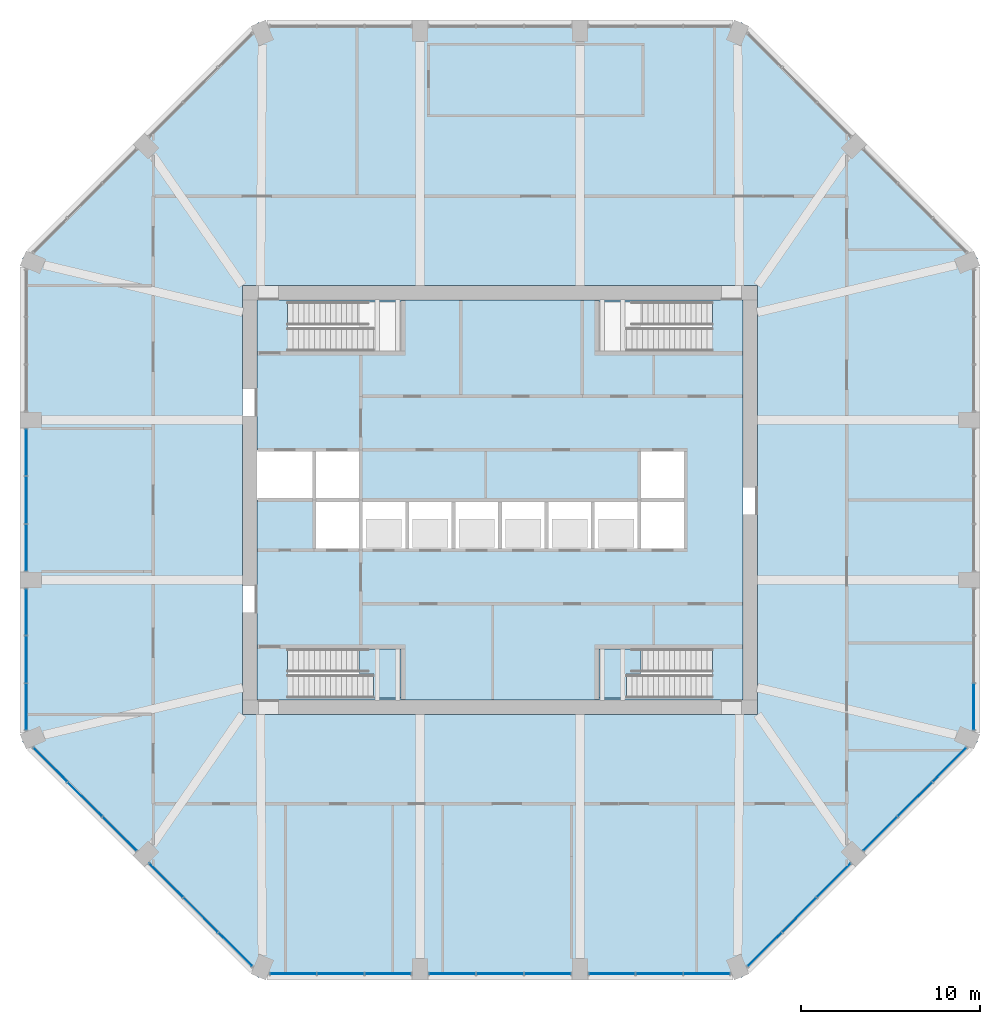
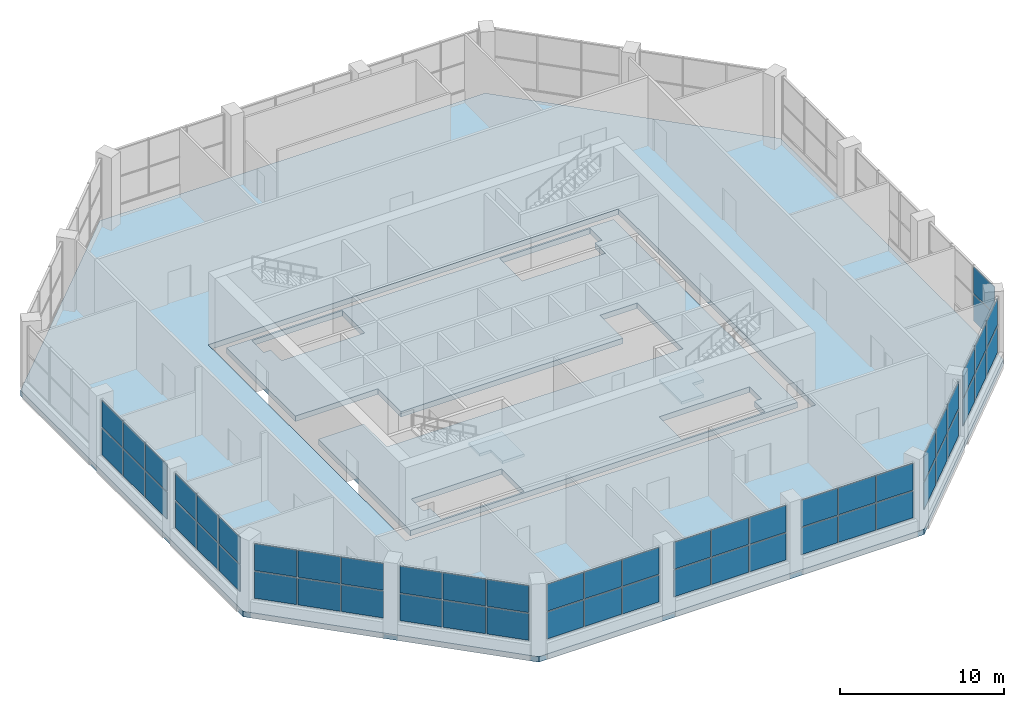
# One storey, part 9 of 16: 56 plates, 4 slabs, 12 elements without a shape of their own.
"""IFC4 building model written with IfcOpenShell, lengths in metres."""

import ifcopenshell
import ifcopenshell.guid

model = None  # the IFC model being written
_history = None  # IfcOwnerHistory: only IFC2X3 demands one
_inside = {}  # id of a spatial element -> (the spatial element, [elements in it])
_under = {}  # id of a project, library or spatial element -> (it, [spatial elements below it])
_declared = {}  # id of a project -> (the project, [libraries it declares])
_typed = {}  # id of a type object -> (the type object, [elements of that type])
_made_of = {}  # id of a material, layer set ... -> (it, [elements and type objects made of it])


def new_model(schema):
    """Start an empty IFC model of exactly this schema.

    Asked for "IFC4X3", IfcOpenShell would pick the latest addendum, in which some entities
    have other attributes; the version numbers below select the first issue.
    IFC2X3 requires an IfcOwnerHistory on every rooted entity: one is made here for all.
    """
    global model, _history
    if schema == "IFC4X3":
        model = ifcopenshell.file(schema_version=(4, 3, 0, 0))
    else:
        model = ifcopenshell.file(schema=schema)
    _inside.clear()
    _under.clear()
    _declared.clear()
    _typed.clear()
    _made_of.clear()
    _history = None
    if model.schema == "IFC2X3":
        org = make("IfcOrganization", Name="unknown")
        user = make(
            "IfcPersonAndOrganization",
            ThePerson=make("IfcPerson", FamilyName="unknown"),
            TheOrganization=org,
        )
        app = make(
            "IfcApplication",
            ApplicationDeveloper=org,
            Version="unknown",
            ApplicationFullName="unknown",
            ApplicationIdentifier="unknown",
        )
        _history = make(
            "IfcOwnerHistory",
            OwningUser=user,
            OwningApplication=app,
            ChangeAction="ADDED",
            CreationDate=0,
        )
    return model


def make(cls, **values):
    """One entity of the class cls with the attributes given. An attribute that is None is left unset."""
    return model.create_entity(
        cls, **{name: value for name, value in values.items() if value is not None}
    )


def rooted(cls, **values):
    """An entity with a GlobalId (a new one), such as an element, a storey or a relation."""
    return make(cls, GlobalId=ifcopenshell.guid.new(), OwnerHistory=_history, **values)


def si_unit(unit_type, name, prefix=None):
    """IfcSIUnit, for example si_unit("LENGTHUNIT", "METRE", prefix="MILLI")."""
    return make("IfcSIUnit", UnitType=unit_type, Prefix=prefix, Name=name)


def assignment(units):
    """IfcUnitAssignment: the units of a project."""
    return None if units is None else make("IfcUnitAssignment", Units=units)


def point(xyz):
    """IfcCartesianPoint."""
    return None if xyz is None else make("IfcCartesianPoint", Coordinates=xyz)


def direction(xyz):
    """IfcDirection."""
    return None if xyz is None else make("IfcDirection", DirectionRatios=xyz)


def frame(location, z_axis=None, x_axis=None):
    """IfcAxis2Placement3D, a coordinate frame: its origin and axes. An axis left out is left unset."""
    return make(
        "IfcAxis2Placement3D",
        Location=point(location),
        Axis=direction(z_axis),
        RefDirection=direction(x_axis),
    )


def frame_2d(location, x_axis=None):
    """IfcAxis2Placement2D, a coordinate frame in the plane: its origin and x axis."""
    return make(
        "IfcAxis2Placement2D", Location=point(location), RefDirection=direction(x_axis)
    )


def origin():
    """The frame at (0, 0, 0) with its axes left unset."""
    return frame((0.0, 0.0, 0.0))


def origin_2d():
    """The frame at (0, 0) in the plane with its x axis left unset."""
    return frame_2d((0.0, 0.0))


def place(relative_to, where):
    """IfcLocalPlacement: puts the frame where relative to a parent placement (None: the world)."""
    return make(
        "IfcLocalPlacement", PlacementRelTo=relative_to, RelativePlacement=where
    )


def context(
    kind, dimensions, precision=None, world=None, true_north=None, identifier=None
):
    """IfcGeometricRepresentationContext, for example the 3D "Model" context."""
    return make(
        "IfcGeometricRepresentationContext",
        ContextIdentifier=identifier,
        ContextType=kind,
        CoordinateSpaceDimension=dimensions,
        Precision=precision,
        WorldCoordinateSystem=world,
        TrueNorth=true_north,
    )


def subcontext(parent, identifier, kind, view, scale=None):
    """IfcGeometricRepresentationSubContext, for example "Body" below "Model"."""
    return make(
        "IfcGeometricRepresentationSubContext",
        ContextIdentifier=identifier,
        ContextType=kind,
        ParentContext=parent,
        TargetScale=scale,
        TargetView=view,
    )


def project(units=None, contexts=None):
    """IfcProject with its units and contexts."""
    return rooted(
        "IfcProject",
        Name="project",
        RepresentationContexts=contexts,
        UnitsInContext=assignment(units),
    )


def spatial(cls, under=None, at=None, **own):
    """A site, building, storey or space (cls), placed at a placement, below another one or the project."""
    s = rooted(cls, ObjectPlacement=at, **own)
    if under is not None:
        _under.setdefault(under.id(), (under, []))[1].append(s)
    return s


def polyline(points):
    """IfcPolyline through the points."""
    return make("IfcPolyline", Points=[point(p) for p in points])


def profile(cls, at=None, kind="AREA", **sizes):
    """A parametric profile (cls). Its sizes go by their IFC names, for example OverallWidth=200.0."""
    return make(cls, ProfileType=kind, Position=at, **sizes)


def rectangle(**sizes):
    """IfcRectangleProfileDef."""
    return profile("IfcRectangleProfileDef", **sizes)


def outline(outer, holes=None, kind="AREA"):
    """IfcArbitraryClosedProfileDef: a profile drawn as a closed curve; with holes, ...WithVoids."""
    if holes is None:
        return make("IfcArbitraryClosedProfileDef", ProfileType=kind, OuterCurve=outer)
    return make(
        "IfcArbitraryProfileDefWithVoids",
        ProfileType=kind,
        OuterCurve=outer,
        InnerCurves=holes,
    )


def extrude(swept, where, along, depth):
    """IfcExtrudedAreaSolid: the profile swept, set in the frame where, extruded along a direction by depth."""
    return make(
        "IfcExtrudedAreaSolid",
        SweptArea=swept,
        Position=where,
        ExtrudedDirection=direction(along),
        Depth=depth,
    )


def shape(context_of_items, identifier, shape_type, items):
    """IfcShapeRepresentation: the items that make up one representation, for example the "Body"."""
    return make(
        "IfcShapeRepresentation",
        ContextOfItems=context_of_items,
        RepresentationIdentifier=identifier,
        RepresentationType=shape_type,
        Items=items,
    )


def material(Name=None, Category=None):
    """IfcMaterial."""
    return make("IfcMaterial", Name=Name, Category=Category)


def layer(
    of_material, thickness, ventilated=None, Name=None, Category=None, Priority=None
):
    """IfcMaterialLayer: one layer of a wall or slab, of a material (None: an air gap)."""
    return make(
        "IfcMaterialLayer",
        Material=of_material,
        LayerThickness=thickness,
        IsVentilated=ventilated,
        Name=Name,
        Category=Category,
        Priority=Priority,
    )


def layer_set(layers, Name=None):
    """IfcMaterialLayerSet."""
    return make("IfcMaterialLayerSet", MaterialLayers=layers, LayerSetName=Name)


def made_of(thing, what):
    """Note that an element or type object is made of a material, layer set ...; save() writes the relation."""
    if what is not None:
        _made_of.setdefault(what.id(), (what, []))[1].append(thing)
    return thing


def type_object(cls, material=None, **own):
    """A type object (cls), such as IfcWallType, which elements share."""
    return made_of(rooted(cls, **own), material)


def element(
    cls,
    number,
    at=None,
    inside=None,
    cuts=None,
    type_object=None,
    material=None,
    context=None,
    identifier="Body",
    shape_type=None,
    held_by="IfcProductDefinitionShape",
    body=None,
    shapes=None,
    **own,
):
    """One element of the class cls, such as IfcWall. Its Tag is "e" and its number.

    at: its placement. inside: the storey or other place that contains it. cuts: it is an
    opening in that element (IfcRelVoidsElement). A single representation is given by context,
    identifier, shape_type and body (its items); several are given by shapes. held_by: the class
    of the entity that holds the representations. save() writes the other relations.
    """
    e = rooted(cls, Tag="e%d" % number, ObjectPlacement=at, **own)
    if body is not None:
        shapes = [shape(context, identifier, shape_type, body)]
    if shapes is not None:
        e.Representation = make(held_by, Representations=shapes)
    if inside is not None:
        _inside.setdefault(inside.id(), (inside, []))[1].append(e)
    if cuts is not None:
        rooted(
            "IfcRelVoidsElement", RelatingBuildingElement=cuts, RelatedOpeningElement=e
        )
    if type_object is not None:
        _typed.setdefault(type_object.id(), (type_object, []))[1].append(e)
    return made_of(e, material)


def aggregate(whole, parts):
    """IfcRelAggregates: a whole, such as a stair, and the parts it consists of."""
    return rooted("IfcRelAggregates", RelatingObject=whole, RelatedObjects=parts)


def save(model, path):
    """Write the relations noted so far, then the file.

    IfcRelAggregates (storeys below a building ...), IfcRelContainedInSpatialStructure (elements
    in a storey), IfcRelDefinesByType, IfcRelAssociatesMaterial and IfcRelDeclares: one each for
    every whole, place, type object, material and project.
    """
    for whole, parts in _under.values():
        aggregate(whole, parts)
    for where, things in _inside.values():
        rooted(
            "IfcRelContainedInSpatialStructure",
            RelatedElements=things,
            RelatingStructure=where,
        )
    for kind, things in _typed.values():
        rooted("IfcRelDefinesByType", RelatedObjects=things, RelatingType=kind)
    for what, things in _made_of.values():
        rooted("IfcRelAssociatesMaterial", RelatedObjects=things, RelatingMaterial=what)
    for by, libraries in _declared.values():
        rooted("IfcRelDeclares", RelatingContext=by, RelatedDefinitions=libraries)
    model.write(path)


model = new_model("IFC4")

# Units and contexts
model_context = context("Model", 3, precision=1e-05, world=origin(), true_north=direction((0.0, 1.0)))
body_context = subcontext(model_context, "Body", "Model", "MODEL_VIEW")
ifc_project = project(units=[si_unit("LENGTHUNIT", "METRE"), si_unit("AREAUNIT", "SQUARE_METRE"), si_unit("VOLUMEUNIT", "CUBIC_METRE"), si_unit("PLANEANGLEUNIT", "RADIAN"), si_unit("MASSUNIT", "GRAM", prefix="KILO")], contexts=[model_context])

# Site, building, storey
site_placement = place(None, origin())
site = spatial("IfcSite", under=ifc_project, at=site_placement, CompositionType="ELEMENT")
building_placement = place(site_placement, origin())
building = spatial("IfcBuilding", under=site, at=building_placement, Name="Msitu Wima Residences", CompositionType="ELEMENT")
storey_placement = place(building_placement, frame((0.0, 0.0, 156.89990234375)))
storey = spatial("IfcBuildingStorey", under=building, at=storey_placement, Name="L36", CompositionType="ELEMENT", Elevation=156.89990234375)

# Slab
ifc_material_1 = material(Name="Concrete C40/50", Category="concrete")
ifc_layer_1 = layer(ifc_material_1, 0.402099609375)
ifc_layer_set_1 = layer_set([ifc_layer_1], Name="Concrete C40/50")
slab_type_1 = type_object("IfcSlabType", Name="Core floor CF402", PredefinedType="FLOOR", material=ifc_layer_set_1)
slab_1_placement = place(storey_placement, frame((0.0, 0.0, -0.40185546875)))
element("IfcSlab", 1, at=slab_1_placement, inside=storey, type_object=slab_type_1, Name="Core floor", PredefinedType="FLOOR", context=body_context, shape_type="SweptSolid", body=[
    extrude(outline(polyline([(-13.60009765625, 11.199951171875), (-13.60009765625, 2.800048828125), (-10.39990234375, 2.800048828125), (-7.800048828125, 2.800048828125), (-7.800048828125, 0.0), (-5.199951171875, 0.0), (-2.60009765625, 0.0), (0.0, 0.0), (2.60009765625, 0.0), (5.199951171875, 0.0), (7.800048828125, 0.0), (7.800048828125, 2.800048828125), (10.39990234375, 2.800048828125), (10.39990234375, 0.0), (10.39990234375, -2.800048828125), (7.800048828125, -2.800048828125), (5.199951171875, -2.800048828125), (2.60009765625, -2.800048828125), (0.0, -2.800048828125), (-2.60009765625, -2.800048828125), (-5.199951171875, -2.800048828125), (-7.800048828125, -2.800048828125), (-10.39990234375, -2.800048828125), (-10.39990234375, 0.0), (-13.60009765625, 0.0), (-13.60009765625, -11.199951171875), (13.60009765625, -11.199951171875), (13.60009765625, 11.199951171875), (-13.60009765625, 11.199951171875)]), holes=[polyline([(-11.375, -11.074951171875), (-11.375, -9.77490234375), (-11.87451171875, -9.77490234375), (-11.87451171875, -8.324951171875), (-5.52490234375, -8.324951171875), (-5.52490234375, -11.074951171875), (-11.375, -11.074951171875)]), polyline([(-11.375, 9.625), (-11.87451171875, 9.625), (-11.87451171875, 11.074951171875), (-5.52490234375, 11.074951171875), (-5.52490234375, 8.324951171875), (-11.375, 8.324951171875), (-11.375, 9.625)]), polyline([(11.375, -9.77490234375), (11.375, -11.074951171875), (5.52490234375, -11.074951171875), (5.52490234375, -8.324951171875), (11.87451171875, -8.324951171875), (11.87451171875, -9.77490234375), (11.375, -9.77490234375)]), polyline([(11.375, 9.625), (11.375, 8.324951171875), (5.52490234375, 8.324951171875), (5.52490234375, 11.074951171875), (11.87451171875, 11.074951171875), (11.87451171875, 9.625), (11.375, 9.625)])]), origin(), (0.0, 0.0, 1.0), 0.40185546875),
])

# Curtain wall, plates
ifc_material_2 = material(Name="Anodised aluminium, bronze finish, solar control laminated double glazing", Category="aluminium")
curtain_wall_type = type_object("IfcCurtainWallType", Name="Curtain wall CW2 sky amenity wall", PredefinedType="NOTDEFINED", material=ifc_material_2)
curtain_wall_1_placement = place(storey_placement, origin())
curtain_wall_1 = element("IfcCurtainWall", 2, at=curtain_wall_1_placement, inside=storey, type_object=curtain_wall_type, Name="Curtain wall CW2 L36 E0", PredefinedType="NOTDEFINED")
ifc_material_3 = material(Name="Solar control laminated double glazing", Category="glass")
ifc_layer_2 = layer(ifc_material_3, 0.0400390625)
ifc_layer_set_2 = layer_set([ifc_layer_2], Name="Solar control laminated double glazing")
plate_type = type_object("IfcPlateType", Name="Glass panel CW2 40", PredefinedType="CURTAIN_PANEL", material=ifc_layer_set_2)
plate_1_placement = place(storey_placement, frame((26.5, -11.566650390625, 0.97509765625), z_axis=(0.0, 0.0, 1.0), x_axis=(0.0, 1.0, 0.0)))
plate_1 = element("IfcPlate", 3, at=plate_1_placement, type_object=plate_type, Name="CW2 panel 1.1", PredefinedType="CURTAIN_PANEL", context=body_context, shape_type="SweptSolid", body=[
    extrude(rectangle(XDim=2.55419921875, YDim=0.0400390625, at=origin_2d()), origin(), (0.0, 0.0, 1.0), 1.987548828125),
])
plate_2_placement = place(storey_placement, frame((26.5, -11.566650390625, 3.03759765625), z_axis=(0.0, 0.0, 1.0), x_axis=(0.0, 1.0, 0.0)))
plate_2 = element("IfcPlate", 4, at=plate_2_placement, type_object=plate_type, Name="CW2 panel 1.2", PredefinedType="CURTAIN_PANEL", context=body_context, shape_type="SweptSolid", body=[
    extrude(rectangle(XDim=2.55419921875, YDim=0.0400390625, at=origin_2d()), origin(), (0.0, 0.0, 1.0), 1.987548828125),
])
aggregate(curtain_wall_1, [plate_1, plate_2])

curtain_wall_2_placement = place(storey_placement, origin())
curtain_wall_2 = element("IfcCurtainWall", 5, at=curtain_wall_2_placement, inside=storey, type_object=curtain_wall_type, Name="Curtain wall CW2 L36 W1", PredefinedType="NOTDEFINED")
plate_3_placement = place(storey_placement, frame((-26.5, 2.660400390625, 0.97509765625), z_axis=(0.0, 0.0, 1.0), x_axis=(0.0, -1.0, 0.0)))
plate_3 = element("IfcPlate", 6, at=plate_3_placement, type_object=plate_type, Name="CW2 panel 1.1", PredefinedType="CURTAIN_PANEL", context=body_context, shape_type="SweptSolid", body=[
    extrude(rectangle(XDim=2.566650390625, YDim=0.0400390625, at=origin_2d()), origin(), (0.0, 0.0, 1.0), 1.987548828125),
])
plate_4_placement = place(storey_placement, frame((-26.5, 2.660400390625, 3.03759765625), z_axis=(0.0, 0.0, 1.0), x_axis=(0.0, -1.0, 0.0)))
plate_4 = element("IfcPlate", 7, at=plate_4_placement, type_object=plate_type, Name="CW2 panel 1.2", PredefinedType="CURTAIN_PANEL", context=body_context, shape_type="SweptSolid", body=[
    extrude(rectangle(XDim=2.566650390625, YDim=0.0400390625, at=origin_2d()), origin(), (0.0, 0.0, 1.0), 1.987548828125),
])
plate_5_placement = place(storey_placement, frame((-26.5, 0.0, 0.97509765625), z_axis=(0.0, 0.0, 1.0), x_axis=(0.0, -1.0, 0.0)))
plate_5 = element("IfcPlate", 8, at=plate_5_placement, type_object=plate_type, Name="CW2 panel 2.1", PredefinedType="CURTAIN_PANEL", context=body_context, shape_type="SweptSolid", body=[
    extrude(rectangle(XDim=2.60400390625, YDim=0.0400390625, at=origin_2d()), origin(), (0.0, 0.0, 1.0), 1.987548828125),
])
plate_6_placement = place(storey_placement, frame((-26.5, 0.0, 3.03759765625), z_axis=(0.0, 0.0, 1.0), x_axis=(0.0, -1.0, 0.0)))
plate_6 = element("IfcPlate", 9, at=plate_6_placement, type_object=plate_type, Name="CW2 panel 2.2", PredefinedType="CURTAIN_PANEL", context=body_context, shape_type="SweptSolid", body=[
    extrude(rectangle(XDim=2.60400390625, YDim=0.0400390625, at=origin_2d()), origin(), (0.0, 0.0, 1.0), 1.987548828125),
])
plate_7_placement = place(storey_placement, frame((-26.5, -2.660400390625, 0.97509765625), z_axis=(0.0, 0.0, 1.0), x_axis=(0.0, -1.0, 0.0)))
plate_7 = element("IfcPlate", 10, at=plate_7_placement, type_object=plate_type, Name="CW2 panel 3.1", PredefinedType="CURTAIN_PANEL", context=body_context, shape_type="SweptSolid", body=[
    extrude(rectangle(XDim=2.566650390625, YDim=0.0400390625, at=origin_2d()), origin(), (0.0, 0.0, 1.0), 1.987548828125),
])
plate_8_placement = place(storey_placement, frame((-26.5, -2.660400390625, 3.03759765625), z_axis=(0.0, 0.0, 1.0), x_axis=(0.0, -1.0, 0.0)))
plate_8 = element("IfcPlate", 11, at=plate_8_placement, type_object=plate_type, Name="CW2 panel 3.2", PredefinedType="CURTAIN_PANEL", context=body_context, shape_type="SweptSolid", body=[
    extrude(rectangle(XDim=2.566650390625, YDim=0.0400390625, at=origin_2d()), origin(), (0.0, 0.0, 1.0), 1.987548828125),
])
aggregate(curtain_wall_2, [plate_3, plate_4, plate_5, plate_6, plate_7, plate_8])

curtain_wall_3_placement = place(storey_placement, origin())
curtain_wall_3 = element("IfcCurtainWall", 12, at=curtain_wall_3_placement, inside=storey, type_object=curtain_wall_type, Name="Curtain wall CW2 L36 W2", PredefinedType="NOTDEFINED")
plate_9_placement = place(storey_placement, frame((-26.5, -6.270751953125, 0.97509765625), z_axis=(0.0, 0.0, 1.0), x_axis=(0.0, -1.0, 0.0)))
plate_9 = element("IfcPlate", 13, at=plate_9_placement, type_object=plate_type, Name="CW2 panel 1.1", PredefinedType="CURTAIN_PANEL", context=body_context, shape_type="SweptSolid", body=[
    extrude(rectangle(XDim=2.55419921875, YDim=0.0400390625, at=origin_2d()), origin(), (0.0, 0.0, 1.0), 1.987548828125),
])
plate_10_placement = place(storey_placement, frame((-26.5, -6.270751953125, 3.03759765625), z_axis=(0.0, 0.0, 1.0), x_axis=(0.0, -1.0, 0.0)))
plate_10 = element("IfcPlate", 14, at=plate_10_placement, type_object=plate_type, Name="CW2 panel 1.2", PredefinedType="CURTAIN_PANEL", context=body_context, shape_type="SweptSolid", body=[
    extrude(rectangle(XDim=2.55419921875, YDim=0.0400390625, at=origin_2d()), origin(), (0.0, 0.0, 1.0), 1.987548828125),
])
plate_11_placement = place(storey_placement, frame((-26.5, -8.918701171875, 0.97509765625), z_axis=(0.0, 0.0, 1.0), x_axis=(0.0, -1.0, 0.0)))
plate_11 = element("IfcPlate", 15, at=plate_11_placement, type_object=plate_type, Name="CW2 panel 2.1", PredefinedType="CURTAIN_PANEL", context=body_context, shape_type="SweptSolid", body=[
    extrude(rectangle(XDim=2.591796875, YDim=0.0400390625, at=origin_2d()), origin(), (0.0, 0.0, 1.0), 1.987548828125),
])
plate_12_placement = place(storey_placement, frame((-26.5, -8.918701171875, 3.03759765625), z_axis=(0.0, 0.0, 1.0), x_axis=(0.0, -1.0, 0.0)))
plate_12 = element("IfcPlate", 16, at=plate_12_placement, type_object=plate_type, Name="CW2 panel 2.2", PredefinedType="CURTAIN_PANEL", context=body_context, shape_type="SweptSolid", body=[
    extrude(rectangle(XDim=2.591796875, YDim=0.0400390625, at=origin_2d()), origin(), (0.0, 0.0, 1.0), 1.987548828125),
])
plate_13_placement = place(storey_placement, frame((-26.5, -11.566650390625, 0.97509765625), z_axis=(0.0, 0.0, 1.0), x_axis=(0.0, -1.0, 0.0)))
plate_13 = element("IfcPlate", 17, at=plate_13_placement, type_object=plate_type, Name="CW2 panel 3.1", PredefinedType="CURTAIN_PANEL", context=body_context, shape_type="SweptSolid", body=[
    extrude(rectangle(XDim=2.55419921875, YDim=0.0400390625, at=origin_2d()), origin(), (0.0, 0.0, 1.0), 1.987548828125),
])
plate_14_placement = place(storey_placement, frame((-26.5, -11.566650390625, 3.03759765625), z_axis=(0.0, 0.0, 1.0), x_axis=(0.0, -1.0, 0.0)))
plate_14 = element("IfcPlate", 18, at=plate_14_placement, type_object=plate_type, Name="CW2 panel 3.2", PredefinedType="CURTAIN_PANEL", context=body_context, shape_type="SweptSolid", body=[
    extrude(rectangle(XDim=2.55419921875, YDim=0.0400390625, at=origin_2d()), origin(), (0.0, 0.0, 1.0), 1.987548828125),
])
aggregate(curtain_wall_3, [plate_9, plate_10, plate_11, plate_12, plate_13, plate_14])

curtain_wall_4_placement = place(storey_placement, origin())
curtain_wall_4 = element("IfcCurtainWall", 19, at=curtain_wall_4_placement, inside=storey, type_object=curtain_wall_type, Name="Curtain wall CW2 L36 SW0", PredefinedType="NOTDEFINED")
plate_15_placement = place(storey_placement, frame((-25.140625, -14.806640625, 0.97509765625), z_axis=(0.0, 0.0, 1.0), x_axis=(0.707106720591, -0.707106841783, 0.0)))
plate_15 = element("IfcPlate", 20, at=plate_15_placement, type_object=plate_type, Name="CW2 panel 1.1", PredefinedType="CURTAIN_PANEL", context=body_context, shape_type="SweptSolid", body=[
    extrude(rectangle(XDim=2.637939453125, YDim=0.0400390625, at=origin_2d()), origin(), (0.0, 0.0, 1.0), 1.987548828125),
])
plate_16_placement = place(storey_placement, frame((-25.140625, -14.806640625, 3.03759765625), z_axis=(0.0, 0.0, 1.0), x_axis=(0.707106720591, -0.707106841783, 0.0)))
plate_16 = element("IfcPlate", 21, at=plate_16_placement, type_object=plate_type, Name="CW2 panel 1.2", PredefinedType="CURTAIN_PANEL", context=body_context, shape_type="SweptSolid", body=[
    extrude(rectangle(XDim=2.637939453125, YDim=0.0400390625, at=origin_2d()), origin(), (0.0, 0.0, 1.0), 1.987548828125),
])
plate_17_placement = place(storey_placement, frame((-23.208984375, -16.73828125, 0.97509765625), z_axis=(0.0, 0.0, 1.0), x_axis=(0.707106720591, -0.707106841783, 0.0)))
plate_17 = element("IfcPlate", 22, at=plate_17_placement, type_object=plate_type, Name="CW2 panel 2.1", PredefinedType="CURTAIN_PANEL", context=body_context, shape_type="SweptSolid", body=[
    extrude(rectangle(XDim=2.67529296875, YDim=0.0400390625, at=origin_2d()), origin(), (0.0, 0.0, 1.0), 1.987548828125),
])
plate_18_placement = place(storey_placement, frame((-23.208984375, -16.73828125, 3.03759765625), z_axis=(0.0, 0.0, 1.0), x_axis=(0.707106720591, -0.707106841783, 0.0)))
plate_18 = element("IfcPlate", 23, at=plate_18_placement, type_object=plate_type, Name="CW2 panel 2.2", PredefinedType="CURTAIN_PANEL", context=body_context, shape_type="SweptSolid", body=[
    extrude(rectangle(XDim=2.67529296875, YDim=0.0400390625, at=origin_2d()), origin(), (0.0, 0.0, 1.0), 1.987548828125),
])
plate_19_placement = place(storey_placement, frame((-21.277587890625, -18.669677734375, 0.97509765625), z_axis=(0.0, 0.0, 1.0), x_axis=(0.707106720591, -0.707106841783, 0.0)))
plate_19 = element("IfcPlate", 24, at=plate_19_placement, type_object=plate_type, Name="CW2 panel 3.1", PredefinedType="CURTAIN_PANEL", context=body_context, shape_type="SweptSolid", body=[
    extrude(rectangle(XDim=2.637939453125, YDim=0.0400390625, at=origin_2d()), origin(), (0.0, 0.0, 1.0), 1.987548828125),
])
plate_20_placement = place(storey_placement, frame((-21.277587890625, -18.669677734375, 3.03759765625), z_axis=(0.0, 0.0, 1.0), x_axis=(0.707106720591, -0.707106841783, 0.0)))
plate_20 = element("IfcPlate", 25, at=plate_20_placement, type_object=plate_type, Name="CW2 panel 3.2", PredefinedType="CURTAIN_PANEL", context=body_context, shape_type="SweptSolid", body=[
    extrude(rectangle(XDim=2.637939453125, YDim=0.0400390625, at=origin_2d()), origin(), (0.0, 0.0, 1.0), 1.987548828125),
])
aggregate(curtain_wall_4, [plate_15, plate_16, plate_17, plate_18, plate_19, plate_20])

curtain_wall_5_placement = place(storey_placement, origin())
curtain_wall_5 = element("IfcCurtainWall", 26, at=curtain_wall_5_placement, inside=storey, type_object=curtain_wall_type, Name="Curtain wall CW2 L36 SW1", PredefinedType="NOTDEFINED")
plate_21_placement = place(storey_placement, frame((-18.669677734375, -21.277587890625, 0.97509765625), z_axis=(0.0, 0.0, 1.0), x_axis=(0.707106781187, -0.707106781187, 0.0)))
plate_21 = element("IfcPlate", 27, at=plate_21_placement, type_object=plate_type, Name="CW2 panel 1.1", PredefinedType="CURTAIN_PANEL", context=body_context, shape_type="SweptSolid", body=[
    extrude(rectangle(XDim=2.637939453125, YDim=0.0400390625, at=origin_2d()), origin(), (0.0, 0.0, 1.0), 1.987548828125),
])
plate_22_placement = place(storey_placement, frame((-18.669677734375, -21.277587890625, 3.03759765625), z_axis=(0.0, 0.0, 1.0), x_axis=(0.707106781187, -0.707106781187, 0.0)))
plate_22 = element("IfcPlate", 28, at=plate_22_placement, type_object=plate_type, Name="CW2 panel 1.2", PredefinedType="CURTAIN_PANEL", context=body_context, shape_type="SweptSolid", body=[
    extrude(rectangle(XDim=2.637939453125, YDim=0.0400390625, at=origin_2d()), origin(), (0.0, 0.0, 1.0), 1.987548828125),
])
plate_23_placement = place(storey_placement, frame((-16.73828125, -23.208984375, 0.97509765625), z_axis=(0.0, 0.0, 1.0), x_axis=(0.707106781187, -0.707106781187, 0.0)))
plate_23 = element("IfcPlate", 29, at=plate_23_placement, type_object=plate_type, Name="CW2 panel 2.1", PredefinedType="CURTAIN_PANEL", context=body_context, shape_type="SweptSolid", body=[
    extrude(rectangle(XDim=2.67529296875, YDim=0.0400390625, at=origin_2d()), origin(), (0.0, 0.0, 1.0), 1.987548828125),
])
plate_24_placement = place(storey_placement, frame((-16.73828125, -23.208984375, 3.03759765625), z_axis=(0.0, 0.0, 1.0), x_axis=(0.707106781187, -0.707106781187, 0.0)))
plate_24 = element("IfcPlate", 30, at=plate_24_placement, type_object=plate_type, Name="CW2 panel 2.2", PredefinedType="CURTAIN_PANEL", context=body_context, shape_type="SweptSolid", body=[
    extrude(rectangle(XDim=2.67529296875, YDim=0.0400390625, at=origin_2d()), origin(), (0.0, 0.0, 1.0), 1.987548828125),
])
plate_25_placement = place(storey_placement, frame((-14.806640625, -25.140625, 0.97509765625), z_axis=(0.0, 0.0, 1.0), x_axis=(0.707106781187, -0.707106781187, 0.0)))
plate_25 = element("IfcPlate", 31, at=plate_25_placement, type_object=plate_type, Name="CW2 panel 3.1", PredefinedType="CURTAIN_PANEL", context=body_context, shape_type="SweptSolid", body=[
    extrude(rectangle(XDim=2.637939453125, YDim=0.0400390625, at=origin_2d()), origin(), (0.0, 0.0, 1.0), 1.987548828125),
])
plate_26_placement = place(storey_placement, frame((-14.806640625, -25.140625, 3.03759765625), z_axis=(0.0, 0.0, 1.0), x_axis=(0.707106781187, -0.707106781187, 0.0)))
plate_26 = element("IfcPlate", 32, at=plate_26_placement, type_object=plate_type, Name="CW2 panel 3.2", PredefinedType="CURTAIN_PANEL", context=body_context, shape_type="SweptSolid", body=[
    extrude(rectangle(XDim=2.637939453125, YDim=0.0400390625, at=origin_2d()), origin(), (0.0, 0.0, 1.0), 1.987548828125),
])
aggregate(curtain_wall_5, [plate_21, plate_22, plate_23, plate_24, plate_25, plate_26])

curtain_wall_6_placement = place(storey_placement, origin())
curtain_wall_6 = element("IfcCurtainWall", 33, at=curtain_wall_6_placement, inside=storey, type_object=curtain_wall_type, Name="Curtain wall CW2 L36 S0", PredefinedType="NOTDEFINED")
plate_27_placement = place(storey_placement, frame((-11.566650390625, -26.5, 0.97509765625), z_axis=(0.0, 0.0, 1.0), x_axis=(1.0, 0.0, 0.0)))
plate_27 = element("IfcPlate", 34, at=plate_27_placement, type_object=plate_type, Name="CW2 panel 1.1", PredefinedType="CURTAIN_PANEL", context=body_context, shape_type="SweptSolid", body=[
    extrude(rectangle(XDim=2.55419921875, YDim=0.0400390625, at=origin_2d()), origin(), (0.0, 0.0, 1.0), 1.987548828125),
])
plate_28_placement = place(storey_placement, frame((-11.566650390625, -26.5, 3.03759765625), z_axis=(0.0, 0.0, 1.0), x_axis=(1.0, 0.0, 0.0)))
plate_28 = element("IfcPlate", 35, at=plate_28_placement, type_object=plate_type, Name="CW2 panel 1.2", PredefinedType="CURTAIN_PANEL", context=body_context, shape_type="SweptSolid", body=[
    extrude(rectangle(XDim=2.55419921875, YDim=0.0400390625, at=origin_2d()), origin(), (0.0, 0.0, 1.0), 1.987548828125),
])
plate_29_placement = place(storey_placement, frame((-8.918701171875, -26.5, 0.97509765625), z_axis=(0.0, 0.0, 1.0), x_axis=(1.0, 0.0, 0.0)))
plate_29 = element("IfcPlate", 36, at=plate_29_placement, type_object=plate_type, Name="CW2 panel 2.1", PredefinedType="CURTAIN_PANEL", context=body_context, shape_type="SweptSolid", body=[
    extrude(rectangle(XDim=2.591796875, YDim=0.0400390625, at=origin_2d()), origin(), (0.0, 0.0, 1.0), 1.987548828125),
])
plate_30_placement = place(storey_placement, frame((-8.918701171875, -26.5, 3.03759765625), z_axis=(0.0, 0.0, 1.0), x_axis=(1.0, 0.0, 0.0)))
plate_30 = element("IfcPlate", 37, at=plate_30_placement, type_object=plate_type, Name="CW2 panel 2.2", PredefinedType="CURTAIN_PANEL", context=body_context, shape_type="SweptSolid", body=[
    extrude(rectangle(XDim=2.591796875, YDim=0.0400390625, at=origin_2d()), origin(), (0.0, 0.0, 1.0), 1.987548828125),
])
plate_31_placement = place(storey_placement, frame((-6.270751953125, -26.5, 0.97509765625), z_axis=(0.0, 0.0, 1.0), x_axis=(1.0, 0.0, 0.0)))
plate_31 = element("IfcPlate", 38, at=plate_31_placement, type_object=plate_type, Name="CW2 panel 3.1", PredefinedType="CURTAIN_PANEL", context=body_context, shape_type="SweptSolid", body=[
    extrude(rectangle(XDim=2.55419921875, YDim=0.0400390625, at=origin_2d()), origin(), (0.0, 0.0, 1.0), 1.987548828125),
])
plate_32_placement = place(storey_placement, frame((-6.270751953125, -26.5, 3.03759765625), z_axis=(0.0, 0.0, 1.0), x_axis=(1.0, 0.0, 0.0)))
plate_32 = element("IfcPlate", 39, at=plate_32_placement, type_object=plate_type, Name="CW2 panel 3.2", PredefinedType="CURTAIN_PANEL", context=body_context, shape_type="SweptSolid", body=[
    extrude(rectangle(XDim=2.55419921875, YDim=0.0400390625, at=origin_2d()), origin(), (0.0, 0.0, 1.0), 1.987548828125),
])
aggregate(curtain_wall_6, [plate_27, plate_28, plate_29, plate_30, plate_31, plate_32])

curtain_wall_7_placement = place(storey_placement, origin())
curtain_wall_7 = element("IfcCurtainWall", 40, at=curtain_wall_7_placement, inside=storey, type_object=curtain_wall_type, Name="Curtain wall CW2 L36 S1", PredefinedType="NOTDEFINED")
plate_33_placement = place(storey_placement, frame((-2.660400390625, -26.5, 0.97509765625), z_axis=(0.0, 0.0, 1.0), x_axis=(1.0, 0.0, 0.0)))
plate_33 = element("IfcPlate", 41, at=plate_33_placement, type_object=plate_type, Name="CW2 panel 1.1", PredefinedType="CURTAIN_PANEL", context=body_context, shape_type="SweptSolid", body=[
    extrude(rectangle(XDim=2.566650390625, YDim=0.0400390625, at=origin_2d()), origin(), (0.0, 0.0, 1.0), 1.987548828125),
])
plate_34_placement = place(storey_placement, frame((-2.660400390625, -26.5, 3.03759765625), z_axis=(0.0, 0.0, 1.0), x_axis=(1.0, 0.0, 0.0)))
plate_34 = element("IfcPlate", 42, at=plate_34_placement, type_object=plate_type, Name="CW2 panel 1.2", PredefinedType="CURTAIN_PANEL", context=body_context, shape_type="SweptSolid", body=[
    extrude(rectangle(XDim=2.566650390625, YDim=0.0400390625, at=origin_2d()), origin(), (0.0, 0.0, 1.0), 1.987548828125),
])
plate_35_placement = place(storey_placement, frame((0.0, -26.5, 0.97509765625), z_axis=(0.0, 0.0, 1.0), x_axis=(1.0, 0.0, 0.0)))
plate_35 = element("IfcPlate", 43, at=plate_35_placement, type_object=plate_type, Name="CW2 panel 2.1", PredefinedType="CURTAIN_PANEL", context=body_context, shape_type="SweptSolid", body=[
    extrude(rectangle(XDim=2.60400390625, YDim=0.0400390625, at=origin_2d()), origin(), (0.0, 0.0, 1.0), 1.987548828125),
])
plate_36_placement = place(storey_placement, frame((0.0, -26.5, 3.03759765625), z_axis=(0.0, 0.0, 1.0), x_axis=(1.0, 0.0, 0.0)))
plate_36 = element("IfcPlate", 44, at=plate_36_placement, type_object=plate_type, Name="CW2 panel 2.2", PredefinedType="CURTAIN_PANEL", context=body_context, shape_type="SweptSolid", body=[
    extrude(rectangle(XDim=2.60400390625, YDim=0.0400390625, at=origin_2d()), origin(), (0.0, 0.0, 1.0), 1.987548828125),
])
plate_37_placement = place(storey_placement, frame((2.660400390625, -26.5, 0.97509765625), z_axis=(0.0, 0.0, 1.0), x_axis=(1.0, 0.0, 0.0)))
plate_37 = element("IfcPlate", 45, at=plate_37_placement, type_object=plate_type, Name="CW2 panel 3.1", PredefinedType="CURTAIN_PANEL", context=body_context, shape_type="SweptSolid", body=[
    extrude(rectangle(XDim=2.566650390625, YDim=0.0400390625, at=origin_2d()), origin(), (0.0, 0.0, 1.0), 1.987548828125),
])
plate_38_placement = place(storey_placement, frame((2.660400390625, -26.5, 3.03759765625), z_axis=(0.0, 0.0, 1.0), x_axis=(1.0, 0.0, 0.0)))
plate_38 = element("IfcPlate", 46, at=plate_38_placement, type_object=plate_type, Name="CW2 panel 3.2", PredefinedType="CURTAIN_PANEL", context=body_context, shape_type="SweptSolid", body=[
    extrude(rectangle(XDim=2.566650390625, YDim=0.0400390625, at=origin_2d()), origin(), (0.0, 0.0, 1.0), 1.987548828125),
])
aggregate(curtain_wall_7, [plate_33, plate_34, plate_35, plate_36, plate_37, plate_38])

curtain_wall_8_placement = place(storey_placement, origin())
curtain_wall_8 = element("IfcCurtainWall", 47, at=curtain_wall_8_placement, inside=storey, type_object=curtain_wall_type, Name="Curtain wall CW2 L36 S2", PredefinedType="NOTDEFINED")
plate_39_placement = place(storey_placement, frame((6.270751953125, -26.5, 0.97509765625), z_axis=(0.0, 0.0, 1.0), x_axis=(1.0, 0.0, 0.0)))
plate_39 = element("IfcPlate", 48, at=plate_39_placement, type_object=plate_type, Name="CW2 panel 1.1", PredefinedType="CURTAIN_PANEL", context=body_context, shape_type="SweptSolid", body=[
    extrude(rectangle(XDim=2.55419921875, YDim=0.0400390625, at=origin_2d()), origin(), (0.0, 0.0, 1.0), 1.987548828125),
])
plate_40_placement = place(storey_placement, frame((6.270751953125, -26.5, 3.03759765625), z_axis=(0.0, 0.0, 1.0), x_axis=(1.0, 0.0, 0.0)))
plate_40 = element("IfcPlate", 49, at=plate_40_placement, type_object=plate_type, Name="CW2 panel 1.2", PredefinedType="CURTAIN_PANEL", context=body_context, shape_type="SweptSolid", body=[
    extrude(rectangle(XDim=2.55419921875, YDim=0.0400390625, at=origin_2d()), origin(), (0.0, 0.0, 1.0), 1.987548828125),
])
plate_41_placement = place(storey_placement, frame((8.918701171875, -26.5, 0.97509765625), z_axis=(0.0, 0.0, 1.0), x_axis=(1.0, 0.0, 0.0)))
plate_41 = element("IfcPlate", 50, at=plate_41_placement, type_object=plate_type, Name="CW2 panel 2.1", PredefinedType="CURTAIN_PANEL", context=body_context, shape_type="SweptSolid", body=[
    extrude(rectangle(XDim=2.591796875, YDim=0.0400390625, at=origin_2d()), origin(), (0.0, 0.0, 1.0), 1.987548828125),
])
plate_42_placement = place(storey_placement, frame((8.918701171875, -26.5, 3.03759765625), z_axis=(0.0, 0.0, 1.0), x_axis=(1.0, 0.0, 0.0)))
plate_42 = element("IfcPlate", 51, at=plate_42_placement, type_object=plate_type, Name="CW2 panel 2.2", PredefinedType="CURTAIN_PANEL", context=body_context, shape_type="SweptSolid", body=[
    extrude(rectangle(XDim=2.591796875, YDim=0.0400390625, at=origin_2d()), origin(), (0.0, 0.0, 1.0), 1.987548828125),
])
plate_43_placement = place(storey_placement, frame((11.566650390625, -26.5, 0.97509765625), z_axis=(0.0, 0.0, 1.0), x_axis=(1.0, 0.0, 0.0)))
plate_43 = element("IfcPlate", 52, at=plate_43_placement, type_object=plate_type, Name="CW2 panel 3.1", PredefinedType="CURTAIN_PANEL", context=body_context, shape_type="SweptSolid", body=[
    extrude(rectangle(XDim=2.55419921875, YDim=0.0400390625, at=origin_2d()), origin(), (0.0, 0.0, 1.0), 1.987548828125),
])
plate_44_placement = place(storey_placement, frame((11.566650390625, -26.5, 3.03759765625), z_axis=(0.0, 0.0, 1.0), x_axis=(1.0, 0.0, 0.0)))
plate_44 = element("IfcPlate", 53, at=plate_44_placement, type_object=plate_type, Name="CW2 panel 3.2", PredefinedType="CURTAIN_PANEL", context=body_context, shape_type="SweptSolid", body=[
    extrude(rectangle(XDim=2.55419921875, YDim=0.0400390625, at=origin_2d()), origin(), (0.0, 0.0, 1.0), 1.987548828125),
])
aggregate(curtain_wall_8, [plate_39, plate_40, plate_41, plate_42, plate_43, plate_44])

curtain_wall_9_placement = place(storey_placement, origin())
curtain_wall_9 = element("IfcCurtainWall", 54, at=curtain_wall_9_placement, inside=storey, type_object=curtain_wall_type, Name="Curtain wall CW2 L36 SE0", PredefinedType="NOTDEFINED")
plate_45_placement = place(storey_placement, frame((14.806640625, -25.140625, 0.97509765625), z_axis=(0.0, 0.0, 1.0), x_axis=(0.707106841783, 0.707106720591, 0.0)))
plate_45 = element("IfcPlate", 55, at=plate_45_placement, type_object=plate_type, Name="CW2 panel 1.1", PredefinedType="CURTAIN_PANEL", context=body_context, shape_type="SweptSolid", body=[
    extrude(rectangle(XDim=2.637939453125, YDim=0.0400390625, at=origin_2d()), origin(), (0.0, 0.0, 1.0), 1.987548828125),
])
plate_46_placement = place(storey_placement, frame((14.806640625, -25.140625, 3.03759765625), z_axis=(0.0, 0.0, 1.0), x_axis=(0.707106841783, 0.707106720591, 0.0)))
plate_46 = element("IfcPlate", 56, at=plate_46_placement, type_object=plate_type, Name="CW2 panel 1.2", PredefinedType="CURTAIN_PANEL", context=body_context, shape_type="SweptSolid", body=[
    extrude(rectangle(XDim=2.637939453125, YDim=0.0400390625, at=origin_2d()), origin(), (0.0, 0.0, 1.0), 1.987548828125),
])
plate_47_placement = place(storey_placement, frame((16.73828125, -23.208984375, 0.97509765625), z_axis=(0.0, 0.0, 1.0), x_axis=(0.707106841783, 0.707106720591, 0.0)))
plate_47 = element("IfcPlate", 57, at=plate_47_placement, type_object=plate_type, Name="CW2 panel 2.1", PredefinedType="CURTAIN_PANEL", context=body_context, shape_type="SweptSolid", body=[
    extrude(rectangle(XDim=2.67529296875, YDim=0.0400390625, at=origin_2d()), origin(), (0.0, 0.0, 1.0), 1.987548828125),
])
plate_48_placement = place(storey_placement, frame((16.73828125, -23.208984375, 3.03759765625), z_axis=(0.0, 0.0, 1.0), x_axis=(0.707106841783, 0.707106720591, 0.0)))
plate_48 = element("IfcPlate", 58, at=plate_48_placement, type_object=plate_type, Name="CW2 panel 2.2", PredefinedType="CURTAIN_PANEL", context=body_context, shape_type="SweptSolid", body=[
    extrude(rectangle(XDim=2.67529296875, YDim=0.0400390625, at=origin_2d()), origin(), (0.0, 0.0, 1.0), 1.987548828125),
])
plate_49_placement = place(storey_placement, frame((18.669677734375, -21.277587890625, 0.97509765625), z_axis=(0.0, 0.0, 1.0), x_axis=(0.707106841783, 0.707106720591, 0.0)))
plate_49 = element("IfcPlate", 59, at=plate_49_placement, type_object=plate_type, Name="CW2 panel 3.1", PredefinedType="CURTAIN_PANEL", context=body_context, shape_type="SweptSolid", body=[
    extrude(rectangle(XDim=2.637939453125, YDim=0.0400390625, at=origin_2d()), origin(), (0.0, 0.0, 1.0), 1.987548828125),
])
plate_50_placement = place(storey_placement, frame((18.669677734375, -21.277587890625, 3.03759765625), z_axis=(0.0, 0.0, 1.0), x_axis=(0.707106841783, 0.707106720591, 0.0)))
plate_50 = element("IfcPlate", 60, at=plate_50_placement, type_object=plate_type, Name="CW2 panel 3.2", PredefinedType="CURTAIN_PANEL", context=body_context, shape_type="SweptSolid", body=[
    extrude(rectangle(XDim=2.637939453125, YDim=0.0400390625, at=origin_2d()), origin(), (0.0, 0.0, 1.0), 1.987548828125),
])
aggregate(curtain_wall_9, [plate_45, plate_46, plate_47, plate_48, plate_49, plate_50])

curtain_wall_10_placement = place(storey_placement, origin())
curtain_wall_10 = element("IfcCurtainWall", 61, at=curtain_wall_10_placement, inside=storey, type_object=curtain_wall_type, Name="Curtain wall CW2 L36 SE1", PredefinedType="NOTDEFINED")
plate_51_placement = place(storey_placement, frame((21.277587890625, -18.669677734375, 0.97509765625), z_axis=(0.0, 0.0, 1.0), x_axis=(0.707106781187, 0.707106781187, 0.0)))
plate_51 = element("IfcPlate", 62, at=plate_51_placement, type_object=plate_type, Name="CW2 panel 1.1", PredefinedType="CURTAIN_PANEL", context=body_context, shape_type="SweptSolid", body=[
    extrude(rectangle(XDim=2.637939453125, YDim=0.0400390625, at=origin_2d()), origin(), (0.0, 0.0, 1.0), 1.987548828125),
])
plate_52_placement = place(storey_placement, frame((21.277587890625, -18.669677734375, 3.03759765625), z_axis=(0.0, 0.0, 1.0), x_axis=(0.707106781187, 0.707106781187, 0.0)))
plate_52 = element("IfcPlate", 63, at=plate_52_placement, type_object=plate_type, Name="CW2 panel 1.2", PredefinedType="CURTAIN_PANEL", context=body_context, shape_type="SweptSolid", body=[
    extrude(rectangle(XDim=2.637939453125, YDim=0.0400390625, at=origin_2d()), origin(), (0.0, 0.0, 1.0), 1.987548828125),
])
plate_53_placement = place(storey_placement, frame((23.208984375, -16.73828125, 0.97509765625), z_axis=(0.0, 0.0, 1.0), x_axis=(0.707106781187, 0.707106781187, 0.0)))
plate_53 = element("IfcPlate", 64, at=plate_53_placement, type_object=plate_type, Name="CW2 panel 2.1", PredefinedType="CURTAIN_PANEL", context=body_context, shape_type="SweptSolid", body=[
    extrude(rectangle(XDim=2.67529296875, YDim=0.0400390625, at=origin_2d()), origin(), (0.0, 0.0, 1.0), 1.987548828125),
])
plate_54_placement = place(storey_placement, frame((23.208984375, -16.73828125, 3.03759765625), z_axis=(0.0, 0.0, 1.0), x_axis=(0.707106781187, 0.707106781187, 0.0)))
plate_54 = element("IfcPlate", 65, at=plate_54_placement, type_object=plate_type, Name="CW2 panel 2.2", PredefinedType="CURTAIN_PANEL", context=body_context, shape_type="SweptSolid", body=[
    extrude(rectangle(XDim=2.67529296875, YDim=0.0400390625, at=origin_2d()), origin(), (0.0, 0.0, 1.0), 1.987548828125),
])
plate_55_placement = place(storey_placement, frame((25.140625, -14.806640625, 0.97509765625), z_axis=(0.0, 0.0, 1.0), x_axis=(0.707106781187, 0.707106781187, 0.0)))
plate_55 = element("IfcPlate", 66, at=plate_55_placement, type_object=plate_type, Name="CW2 panel 3.1", PredefinedType="CURTAIN_PANEL", context=body_context, shape_type="SweptSolid", body=[
    extrude(rectangle(XDim=2.637939453125, YDim=0.0400390625, at=origin_2d()), origin(), (0.0, 0.0, 1.0), 1.987548828125),
])
plate_56_placement = place(storey_placement, frame((25.140625, -14.806640625, 3.03759765625), z_axis=(0.0, 0.0, 1.0), x_axis=(0.707106781187, 0.707106781187, 0.0)))
plate_56 = element("IfcPlate", 67, at=plate_56_placement, type_object=plate_type, Name="CW2 panel 3.2", PredefinedType="CURTAIN_PANEL", context=body_context, shape_type="SweptSolid", body=[
    extrude(rectangle(XDim=2.637939453125, YDim=0.0400390625, at=origin_2d()), origin(), (0.0, 0.0, 1.0), 1.987548828125),
])
aggregate(curtain_wall_10, [plate_51, plate_52, plate_53, plate_54, plate_55, plate_56])

# Slab
ifc_layer_3 = layer(ifc_material_1, 0.39990234375)
ifc_layer_set_3 = layer_set([ifc_layer_3], Name="Concrete C40/50")
slab_type_2 = type_object("IfcSlabType", Name="PT flat slab 400 Concrete C40/50", PredefinedType="FLOOR", material=ifc_layer_set_3)
slab_2_placement = place(storey_placement, frame((0.0, 0.0, -0.400390625)))
element("IfcSlab", 68, at=slab_2_placement, inside=storey, type_object=slab_type_2, Name="Floor slab L36", PredefinedType="FLOOR", context=body_context, shape_type="SweptSolid", body=[
    extrude(outline(polyline([(26.699951171875, -13.5302734375), (13.5302734375, -26.699951171875), (-13.5302734375, -26.699951171875), (-26.699951171875, -13.5302734375), (-26.699951171875, 13.5302734375), (-13.5302734375, 26.699951171875), (13.5302734375, 26.699951171875), (26.699951171875, 13.5302734375), (26.699951171875, -13.5302734375)]), holes=[polyline([(-14.39990234375, -12.0), (14.39990234375, -12.0), (14.39990234375, 12.0), (-14.39990234375, 12.0), (-14.39990234375, -12.0)])]), origin(), (0.0, 0.0, 1.0), 0.400390625),
])

# Stair, slab
stair_type = type_object("IfcStairType", Name="Exit stair ES1636-130", PredefinedType="HALF_TURN_STAIR", material=ifc_material_1)
stair_1_placement = place(storey_placement, origin())
stair_1 = element("IfcStair", 69, at=stair_1_placement, inside=storey, type_object=stair_type, Name="Exit stair 2", PredefinedType="HALF_TURN_STAIR")
ifc_layer_4 = layer(ifc_material_1, 0.199951171875)
ifc_layer_set_4 = layer_set([ifc_layer_4], Name="Concrete C40/50")
slab_type_3 = type_object("IfcSlabType", Name="Stair landing SL200", PredefinedType="LANDING", material=ifc_layer_set_4)
slab_3_placement = place(storey_placement, frame((0.0, 0.0, 2.58203125)))
slab_3 = element("IfcSlab", 70, at=slab_3_placement, type_object=slab_type_3, Name="S2 landing 1", PredefinedType="LANDING", context=body_context, shape_type="SweptSolid", body=[
    extrude(outline(polyline([(-5.52490234375, -11.074951171875), (-7.075439453125, -11.074951171875), (-7.075439453125, -9.699951171875), (-7.875, -9.699951171875), (-7.875, -8.324951171875), (-5.52490234375, -8.324951171875), (-5.52490234375, -11.074951171875)])), origin(), (0.0, 0.0, 1.0), 0.199951171875),
])
aggregate(stair_1, [slab_3])

stair_2_placement = place(storey_placement, origin())
stair_2 = element("IfcStair", 71, at=stair_2_placement, inside=storey, type_object=stair_type, Name="Exit stair 4", PredefinedType="HALF_TURN_STAIR")
slab_4_placement = place(storey_placement, frame((0.0, 0.0, 2.58203125)))
slab_4 = element("IfcSlab", 72, at=slab_4_placement, type_object=slab_type_3, Name="S4 landing 1", PredefinedType="LANDING", context=body_context, shape_type="SweptSolid", body=[
    extrude(outline(polyline([(5.52490234375, -11.074951171875), (7.075439453125, -11.074951171875), (7.075439453125, -9.699951171875), (7.875, -9.699951171875), (7.875, -8.324951171875), (5.52490234375, -8.324951171875), (5.52490234375, -11.074951171875)])), origin(), (0.0, 0.0, 1.0), 0.199951171875),
])
aggregate(stair_2, [slab_4])

save(model, "model.ifc")
